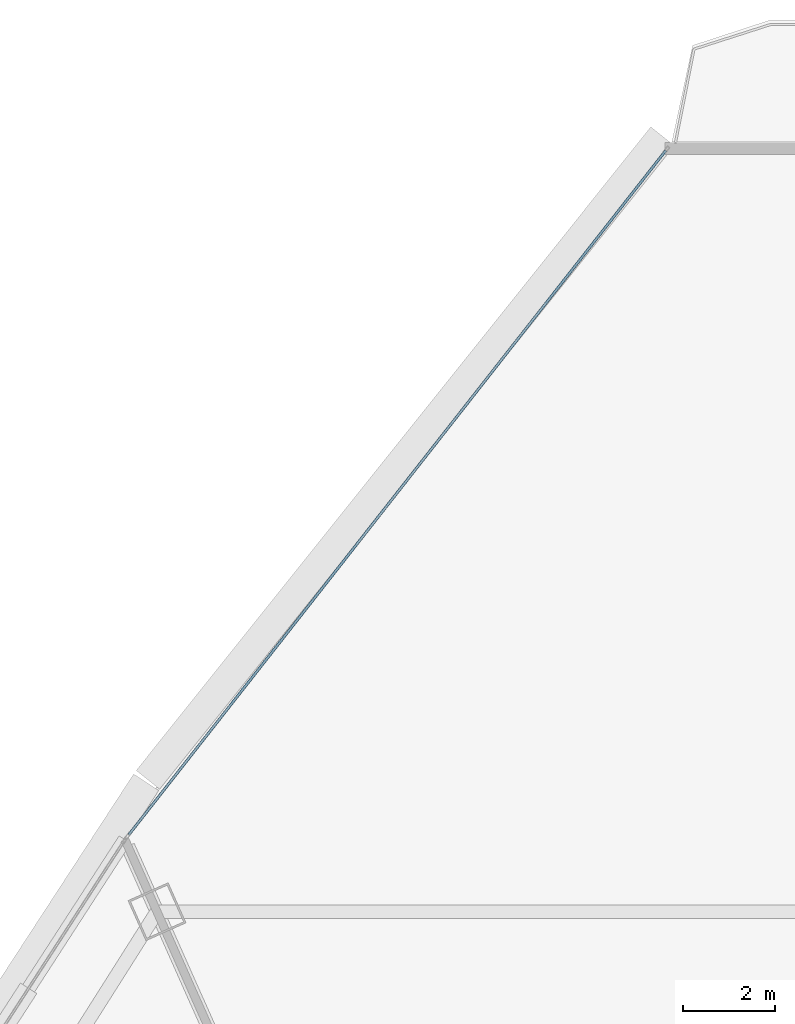
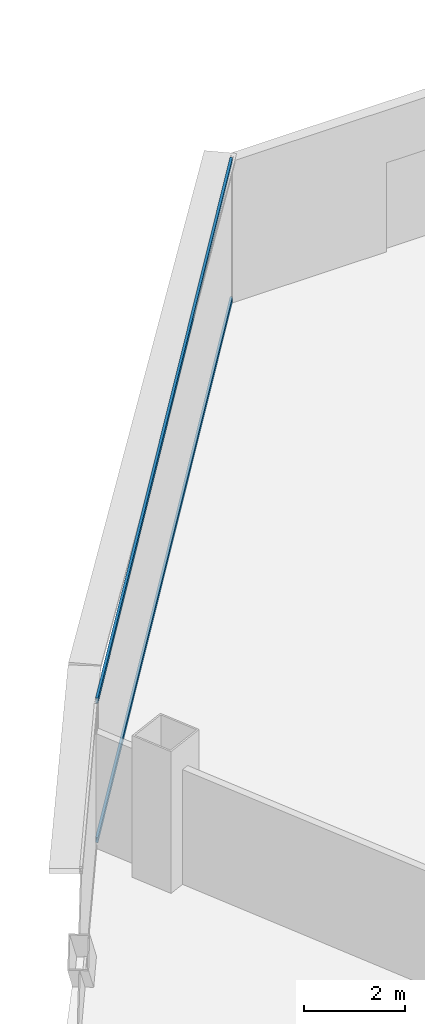
# One storey, part 28 of 39: 2 members, 1 element without a shape of its own.
"""IFC4 building model written with IfcOpenShell, lengths in metres."""

from ifc_helpers import new_model, si_unit, direction, frame, origin, origin_2d, place, context, subcontext, project, spatial, hollow_rectangle, extrude, source, transform, mapped, material, layer, layer_set, material_profile, profile_set, type_object, element, aggregate, save


model = new_model("IFC4")

# Units and contexts
model_context = context("Model", 3, precision=1e-05, world=origin(), true_north=direction((0.0, 1.0)))
body_context = subcontext(model_context, "Body", "Model", "MODEL_VIEW")
ifc_project = project(units=[si_unit("LENGTHUNIT", "METRE"), si_unit("AREAUNIT", "SQUARE_METRE"), si_unit("VOLUMEUNIT", "CUBIC_METRE"), si_unit("PLANEANGLEUNIT", "RADIAN"), si_unit("MASSUNIT", "GRAM", prefix="KILO"), si_unit("THERMODYNAMICTEMPERATUREUNIT", "KELVIN"), si_unit("POWERUNIT", "WATT")], contexts=[model_context])

# Site, building, storey
site_placement = place(None, origin())
site = spatial("IfcSite", under=ifc_project, at=site_placement, CompositionType="ELEMENT")
building_placement = place(site_placement, origin())
building = spatial("IfcBuilding", under=site, at=building_placement, Name="Yunzhuo Pagoda Commons", CompositionType="ELEMENT")
storey_placement = place(building_placement, frame((0.0, 0.0, 148.22998046875)))
storey = spatial("IfcBuildingStorey", under=building, at=storey_placement, Name="L37", CompositionType="ELEMENT", Elevation=148.22998046875)

# Curtain wall, members
ifc_material = material(Name="Anodized aluminium 6063-T6", Category="aluminium")
ifc_layer = layer(ifc_material, 0.14990234375)
ifc_layer_set = layer_set([ifc_layer], Name="Anodized aluminium 6063-T6")
curtain_wall_type = type_object("IfcCurtainWallType", Name="CW-MID Mid-Zone Ribbon Curtain Wall", PredefinedType="NOTDEFINED", material=ifc_layer_set)
curtain_wall_placement = place(storey_placement, origin())
curtain_wall = element("IfcCurtainWall", 1, at=curtain_wall_placement, inside=storey, type_object=curtain_wall_type, Name="L37 curtain wall CW-L37-F3B1", PredefinedType="NOTDEFINED")
ifc_material_profile = material_profile(ifc_material, hollow_rectangle(XDim=0.054931640625, YDim=0.1298828125, WallThickness=0.00341796875, at=origin_2d()), Name="Anodized aluminium 6063-T6")
ifc_profile_set = profile_set([ifc_material_profile], Name="Anodized aluminium 6063-T6")
member_type = type_object("IfcMemberType", Name="CW-MID-T Transom RHS 130x55x3.5", PredefinedType="USERDEFINED", material=ifc_profile_set)
shared_shape = source(origin(), body_context, "Body", "SweptSolid", [
    extrude(hollow_rectangle(XDim=0.054931640625, YDim=0.1298828125, WallThickness=0.00341796875, at=origin_2d()), origin(), (0.0, 0.0, 1.0), 18.82861328125),
])
member_1_placement = place(storey_placement, frame((43.60693359375, 84.781005859375, 0.027587890625), z_axis=(-0.617384524017, -0.786661521561, 0.0), x_axis=(0.786661521561, -0.617384524017, 0.0)))
member_1 = element("IfcMember", 2, at=member_1_placement, type_object=member_type, Name="CW transom 1.1", ObjectType="TRANSOM", PredefinedType="USERDEFINED", context=body_context, shape_type="MappedRepresentation", body=[
    mapped(shared_shape, transform((0.0, 0.0, 0.0), scale=1.0)),
])
member_2_placement = place(storey_placement, frame((43.60693359375, 84.781005859375, 3.392578125), z_axis=(-0.617384524017, -0.786661521561, 0.0), x_axis=(0.786661521561, -0.617384524017, 0.0)))
member_2 = element("IfcMember", 3, at=member_2_placement, type_object=member_type, Name="CW transom 1.2", ObjectType="TRANSOM", PredefinedType="USERDEFINED", context=body_context, shape_type="MappedRepresentation", body=[
    mapped(shared_shape, transform((0.0, 0.0, 0.0), scale=1.0)),
])
aggregate(curtain_wall, [member_1, member_2])

save(model, "model.ifc")
